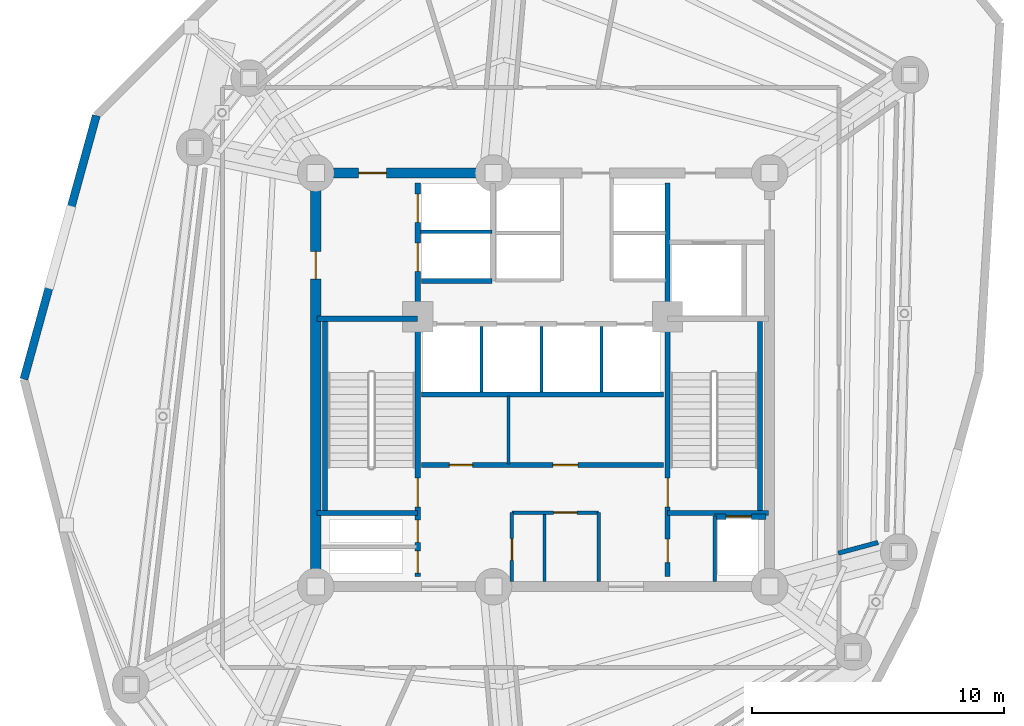
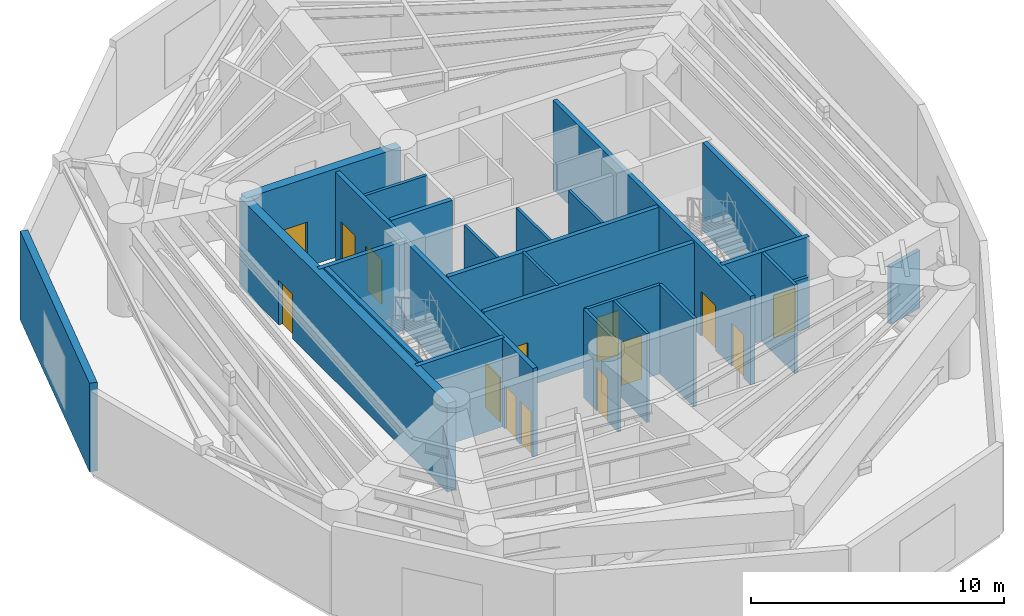
# One storey, part 6 of 11: 25 walls, 14 doors, 14 openings.
"""IFC4 building model written with IfcOpenShell, lengths in metres."""

from ifc_helpers import new_model, si_unit, direction, frame, frame_2d, origin, origin_with_axes, place, context, subcontext, project, spatial, rectangle, extrude, source, transform, mapped, material, layer, layer_set, type_object, element, fill, save


model = new_model("IFC4")

# Units and contexts
model_context = context("Model", 3, precision=1e-05, world=origin(), true_north=direction((0.0, 1.0)))
body_context = subcontext(model_context, "Body", "Model", "MODEL_VIEW")
ifc_project = project(units=[si_unit("LENGTHUNIT", "METRE"), si_unit("AREAUNIT", "SQUARE_METRE"), si_unit("VOLUMEUNIT", "CUBIC_METRE"), si_unit("PLANEANGLEUNIT", "RADIAN"), si_unit("MASSUNIT", "GRAM", prefix="KILO")], contexts=[model_context])

# Site, building, storey
site_placement = place(None, origin())
site = spatial("IfcSite", under=ifc_project, at=site_placement, CompositionType="ELEMENT")
building_placement = place(site_placement, origin())
building = spatial("IfcBuilding", under=site, at=building_placement, Name="Karkom Vertical University and Central Library", CompositionType="ELEMENT")
storey_placement = place(building_placement, frame((0.0, 0.0, 148.050048828125)))
storey = spatial("IfcBuildingStorey", under=building, at=storey_placement, Name="P42", CompositionType="ELEMENT", Elevation=148.050048828125)

# Walls
ifc_material_1 = material(Name="Brick-faced precast concrete C45/55", Category="masonry")
ifc_layer_1 = layer(ifc_material_1, 0.320068359375)
ifc_layer_set_1 = layer_set([ifc_layer_1], Name="Brick-faced precast concrete C45/55")
wall_type_1 = type_object("IfcWallType", Name="ENV-WL-BRK-320", PredefinedType="SOLIDWALL", material=ifc_layer_set_1)
wall_1_placement = place(storey_placement, frame((10.79931640625, 36.9833984375, 0.0), z_axis=(0.0, 0.0, 1.0), x_axis=(-0.26486439702, -0.964285668872, 0.0)))
element("IfcWall", 1, at=wall_1_placement, inside=storey, type_object=wall_type_1, Name="Plant Level 42 Brick-Faced Precast Facade Wall 01", PredefinedType="SOLIDWALL", context=body_context, shape_type="SweptSolid", body=[
    extrude(rectangle(XDim=10.8408203125, YDim=0.320068359375, at=frame_2d((5.42041015625, 0.0))), origin(), (0.0, 0.0, 1.0), 4.27490234375),
])
ifc_material_2 = material(Name="Moisture-resistant drywall 120mm", Category="gypsum")
ifc_layer_2 = layer(ifc_material_2, 0.1201171875)
ifc_layer_set_2 = layer_set([ifc_layer_2], Name="Moisture-resistant drywall 120mm")
wall_type_2 = type_object("IfcWallType", Name="INT-WL-INT-120", PredefinedType="PARTITIONING", material=ifc_layer_set_2)
wall_2_placement = place(storey_placement, frame((27.14990234375, 23.169921875, 0.0), z_axis=(0.0, 0.0, 1.0), x_axis=(0.0, 1.0, 0.0)))
element("IfcWall", 2, at=wall_2_placement, inside=storey, type_object=wall_type_2, Name="Plant Level 42 Interior Partition Wall P42-CW-B1-K2", PredefinedType="PARTITIONING", context=body_context, shape_type="SweptSolid", body=[
    extrude(rectangle(XDim=2.7001953125, YDim=0.1201171875, at=frame_2d((1.35009765625, 0.0))), origin(), (0.0, 0.0, 1.0), 4.27490234375),
])
wall_3_placement = place(storey_placement, frame((28.580078125, 18.507080078125, 0.0), z_axis=(0.0, 0.0, 1.0), x_axis=(0.0, 1.0, 0.0)))
element("IfcWall", 3, at=wall_3_placement, inside=storey, type_object=wall_type_2, Name="Plant Level 42 Interior Partition Wall P42-CW-K2-DIV", PredefinedType="PARTITIONING", context=body_context, shape_type="SweptSolid", body=[
    extrude(rectangle(XDim=2.66162109375, YDim=0.1201171875, at=frame_2d((1.330810546875, 0.0))), origin(), (0.0, 0.0, 1.0), 4.27490234375),
])
ifc_layer_3 = layer(ifc_material_2, 0.1201171875)
ifc_layer_set_3 = layer_set([ifc_layer_3], Name="Moisture-resistant drywall 120mm")
wall_type_3 = type_object("IfcWallType", Name="INT-WL-INT-120H", PredefinedType="PARTITIONING", material=ifc_layer_set_3)
for number, where, z_axis, x_axis, name in (
    (4, (26.080078125, 26.02001953125, 0.0), (0.0, 0.0, 1.0), (0.0, 1.0, 0.0), "Plant Level 42 Interior Partition Wall P42-CW-PM-DIV1"),
    (5, (28.4599609375, 26.02001953125, 0.0), (0.0, 0.0, 1.0), (0.0, 1.0, 0.0), "Plant Level 42 Interior Partition Wall P42-CW-PM-DIV2"),
    (6, (30.840087890625, 26.02001953125, 0.0), (0.0, 0.0, 1.0), (0.0, 1.0, 0.0), "Plant Level 42 Interior Partition Wall P42-CW-PM-DIV3"),
):
    element("IfcWall", number, at=place(storey_placement, frame(where, z_axis=z_axis, x_axis=x_axis)), inside=storey, type_object=wall_type_3, Name=name, PredefinedType="PARTITIONING", context=body_context, shape_type="SweptSolid", body=[
        extrude(rectangle(XDim=2.60009765625, YDim=0.1201171875, at=frame_2d((1.300048828125, 0.0))), origin(), (0.0, 0.0, 1.0), 4.27490234375),
    ])

# Wall, opening, door
ifc_material_3 = material(Name="Metal-stud gypsum partition 140mm", Category="gypsum")
ifc_layer_4 = layer(ifc_material_3, 0.139892578125)
ifc_layer_set_4 = layer_set([ifc_layer_4], Name="Metal-stud gypsum partition 140mm")
wall_type_4 = type_object("IfcWallType", Name="INT-WL-SUB-140", PredefinedType="PARTITIONING", material=ifc_layer_set_4)
wall_4_placement = place(storey_placement, frame((27.280029296875, 21.239990234375, 0.0), z_axis=(0.0, 0.0, 1.0), x_axis=(1.0, 0.0, 0.0)))
wall_4 = element("IfcWall", 7, at=wall_4_placement, inside=storey, type_object=wall_type_4, Name="Plant Level 42 Interior Partition Wall P42-CW-KBAY-N", PredefinedType="PARTITIONING", context=body_context, shape_type="SweptSolid", body=[
    extrude(rectangle(XDim=3.43994140625, YDim=0.139892578125, at=frame_2d((1.719970703125, 0.0))), origin(), (0.0, 0.0, 1.0), 4.27490234375),
])
opening_1_placement = place(wall_4_placement, frame((1.64990234375, 0.0, 0.0)))
opening_1 = element("IfcOpeningElement", 8, at=opening_1_placement, cuts=wall_4, Name="Opening D-WC1", PredefinedType="OPENING", context=body_context, shape_type="SweptSolid", body=[
    extrude(rectangle(XDim=0.93994140625, YDim=2.10009765625, at=frame_2d((0.469970703125, 1.050048828125))), frame((0.0, 0.080078125, 0.0), z_axis=(0.0, -1.0, 0.0), x_axis=(1.0, 0.0, 0.0)), (0.0, 0.0, 1.0), 0.159912109375),
])
ifc_material_4 = material(Name="Fire-rated laminate moisture-resistant door", Category="wood")
door_type_1 = type_object("IfcDoorType", Name="INT-DR-WC1", OperationType="NOTDEFINED", PredefinedType="DOOR", material=ifc_material_4)
shared_shape_1 = source(origin_with_axes(), body_context, "Body", "SweptSolid", [
    extrude(rectangle(XDim=0.93994140625, YDim=2.10009765625, at=frame_2d((0.469970703125, 1.050048828125))), frame((0.0, 0.02490234375, 0.0), z_axis=(0.0, -1.0, 0.0), x_axis=(1.0, 0.0, 0.0)), (0.0, 0.0, 1.0), 0.050048828125),
])
door_1_placement = place(opening_1_placement, origin())
door_1 = element("IfcDoor", 9, at=door_1_placement, inside=storey, type_object=door_type_1, Name="Plant Level 42 Staff WC Door", OperationType="SINGLE_SWING_RIGHT", OverallHeight=2.10009765625, OverallWidth=0.93994140625, PredefinedType="DOOR", context=body_context, shape_type="MappedRepresentation", body=[
    mapped(shared_shape_1, transform((0.0, 0.0, 0.0), scale=1.0)),
])
fill(opening_1, door_1)

wall_5_placement = place(storey_placement, frame((27.280029296875, 18.507080078125, 0.0), z_axis=(0.0, 0.0, 1.0), x_axis=(0.0, 1.0, 0.0)))
wall_5 = element("IfcWall", 10, at=wall_5_placement, inside=storey, type_object=wall_type_4, Name="Plant Level 42 Interior Partition Wall P42-CW-KBAY-W", PredefinedType="PARTITIONING", context=body_context, shape_type="SweptSolid", body=[
    extrude(rectangle(XDim=2.73291015625, YDim=0.139892578125, at=frame_2d((1.366455078125, 0.0))), origin(), (0.0, 0.0, 1.0), 4.27490234375),
])
opening_2_placement = place(wall_5_placement, frame((0.840087890625, 0.0, 0.0)))
opening_2 = element("IfcOpeningElement", 11, at=opening_2_placement, cuts=wall_5, Name="Opening D-BATH", PredefinedType="OPENING", context=body_context, shape_type="SweptSolid", body=[
    extrude(rectangle(XDim=0.860107421875, YDim=2.10009765625, at=frame_2d((0.43017578125, 1.050048828125))), frame((0.0, 0.080078125, 0.0), z_axis=(0.0, -1.0, 0.0), x_axis=(1.0, 0.0, 0.0)), (0.0, 0.0, 1.0), 0.159912109375),
])
ifc_material_5 = material(Name="Moisture-resistant oak door", Category="wood")
door_type_2 = type_object("IfcDoorType", Name="INT-DR-BATH", OperationType="NOTDEFINED", PredefinedType="DOOR", material=ifc_material_5)
shared_shape_2 = source(origin_with_axes(), body_context, "Body", "SweptSolid", [
    extrude(rectangle(XDim=0.860107421875, YDim=2.10009765625, at=frame_2d((0.43017578125, 1.050048828125))), frame((0.0, 0.02490234375, 0.0), z_axis=(0.0, -1.0, 0.0), x_axis=(1.0, 0.0, 0.0)), (0.0, 0.0, 1.0), 0.050048828125),
])
door_2_placement = place(opening_2_placement, origin())
door_2 = element("IfcDoor", 12, at=door_2_placement, inside=storey, type_object=door_type_2, Name="Plant Level 42 Cleaners Store Door", OperationType="SINGLE_SWING_LEFT", OverallHeight=2.10009765625, OverallWidth=0.860107421875, PredefinedType="DOOR", context=body_context, shape_type="MappedRepresentation", body=[
    mapped(shared_shape_2, transform((0.0, 0.0, 0.0), scale=1.0)),
])
fill(opening_2, door_2)

# Walls
wall_6_placement = place(storey_placement, frame((30.719970703125, 18.507080078125, 0.0), z_axis=(0.0, 0.0, 1.0), x_axis=(0.0, 1.0, 0.0)))
element("IfcWall", 13, at=wall_6_placement, inside=storey, type_object=wall_type_4, Name="Plant Level 42 Interior Partition Wall P42-CW-KBAY-E", PredefinedType="PARTITIONING", context=body_context, shape_type="SweptSolid", body=[
    extrude(rectangle(XDim=2.73291015625, YDim=0.139892578125, at=frame_2d((1.366455078125, 0.0))), origin(), (0.0, 0.0, 1.0), 4.27490234375),
])
ifc_layer_5 = layer(ifc_material_3, 0.139892578125)
ifc_layer_set_5 = layer_set([ifc_layer_5], Name="Metal-stud gypsum partition 140mm")
wall_type_5 = type_object("IfcWallType", Name="INT-WL-SUB-140H", PredefinedType="PARTITIONING", material=ifc_layer_set_5)
wall_7_placement = place(storey_placement, frame((35.320068359375, 18.507080078125, 0.0), z_axis=(0.0, 0.0, 1.0), x_axis=(0.0, 1.0, 0.0)))
element("IfcWall", 14, at=wall_7_placement, inside=storey, type_object=wall_type_5, Name="Plant Level 42 Interior Partition Wall P42-CW-RIS-E", PredefinedType="PARTITIONING", context=body_context, shape_type="SweptSolid", body=[
    extrude(rectangle(XDim=2.591796875, YDim=0.139892578125, at=frame_2d((1.2958984375, 0.0))), origin(), (0.0, 0.0, 1.0), 4.27490234375),
])
ifc_layer_6 = layer(ifc_material_3, 0.139892578125)
ifc_layer_set_6 = layer_set([ifc_layer_6], Name="Metal-stud gypsum partition 140mm")
wall_type_6 = type_object("IfcWallType", Name="INT-WL-SUB-140X", PredefinedType="PARTITIONING", material=ifc_layer_set_6)
wall_8_placement = place(storey_placement, frame((23.652099609375, 32.3701171875, 0.0), z_axis=(0.0, 0.0, 1.0), x_axis=(1.0, 0.0, 0.0)))
element("IfcWall", 15, at=wall_8_placement, inside=storey, type_object=wall_type_6, Name="Plant Level 42 Interior Partition Wall P42-CW-FFL-M", PredefinedType="PARTITIONING", context=body_context, shape_type="SweptSolid", body=[
    extrude(rectangle(XDim=2.827880859375, YDim=0.139892578125, at=frame_2d((1.4140625, 0.0))), origin(), (0.0, 0.0, 1.0), 4.27490234375),
])
ifc_material_6 = material(Name="Twin-stud acoustic drywall 180mm", Category="gypsum")
ifc_layer_7 = layer(ifc_material_6, 0.179931640625)
ifc_layer_set_7 = layer_set([ifc_layer_7], Name="Twin-stud acoustic drywall 180mm")
wall_type_7 = type_object("IfcWallType", Name="INT-WL-TEN-180F", PredefinedType="PARTITIONING", material=ifc_layer_set_7)
wall_9_placement = place(storey_placement, frame((41.799072265625, 20.052734375, 0.0), z_axis=(0.0, 0.0, 1.0), x_axis=(-0.965926707179, -0.258815757555, 0.0)))
element("IfcWall", 16, at=wall_9_placement, inside=storey, type_object=wall_type_7, Name="Plant Level 42 Interior Partition Wall P42-PLCHW-013", PredefinedType="PARTITIONING", context=body_context, shape_type="SweptSolid", body=[
    extrude(rectangle(XDim=1.6337890625, YDim=0.179931640625, at=frame_2d((0.81689453125, 0.0))), origin(), (0.0, 0.0, 1.0), 2.77490234375),
])

# Wall, opening, door
ifc_material_7 = material(Name="Concrete C45/55", Category="concrete")
ifc_layer_8 = layer(ifc_material_7, 0.219970703125)
ifc_layer_set_8 = layer_set([ifc_layer_8], Name="Concrete C45/55")
wall_type_8 = type_object("IfcWallType", Name="STR-WL-CW-220", PredefinedType="SHEAR", material=ifc_layer_set_8)
wall_10_placement = place(storey_placement, frame((35.320068359375, 21.080078125, 0.0), z_axis=(0.0, 0.0, 1.0), x_axis=(1.0, 0.0, 0.0)))
wall_10 = element("IfcWall", 17, at=wall_10_placement, inside=storey, type_object=wall_type_8, Name="Plant Level 42 Duct Riser Access Wall 2", PredefinedType="SHEAR", context=body_context, shape_type="SweptSolid", body=[
    extrude(rectangle(XDim=2.030029296875, YDim=0.219970703125, at=frame_2d((1.01513671875, 0.0))), origin(), (0.0, 0.0, 1.0), 2.449951171875),
])
opening_3_placement = place(wall_10_placement, frame((0.449951171875, 0.0, 0.0)))
opening_3 = element("IfcOpeningElement", 18, at=opening_3_placement, cuts=wall_10, Name="Opening HD-1", PredefinedType="OPENING", context=body_context, shape_type="SweptSolid", body=[
    extrude(rectangle(XDim=1.0, YDim=2.050048828125, at=frame_2d((0.5, 1.02490234375))), frame((0.0, 0.1201171875, 0.0), z_axis=(0.0, -1.0, 0.0), x_axis=(1.0, 0.0, 0.0)), (0.0, 0.0, 1.0), 0.239990234375),
])
ifc_material_8 = material(Name="Insulated aluminium riser access door", Category="aluminium")
door_type_3 = type_object("IfcDoorType", Name="ENV-DR-HTCH", OperationType="SINGLE_SWING_LEFT", PredefinedType="TRAPDOOR", material=ifc_material_8)
shared_shape_3 = source(origin_with_axes(), body_context, "Body", "SweptSolid", [
    extrude(rectangle(XDim=1.0, YDim=2.050048828125, at=frame_2d((0.5, 1.02490234375))), frame((0.0, 0.02490234375, 0.0), z_axis=(0.0, -1.0, 0.0), x_axis=(1.0, 0.0, 0.0)), (0.0, 0.0, 1.0), 0.050048828125),
])
door_3_placement = place(opening_3_placement, origin())
door_3 = element("IfcDoor", 19, at=door_3_placement, inside=storey, type_object=door_type_3, Name="Plant Level 42 Maintenance Riser Access Hatch Door 2", OperationType="SINGLE_SWING_RIGHT", OverallHeight=2.050048828125, OverallWidth=1.0, PredefinedType="TRAPDOOR", context=body_context, shape_type="MappedRepresentation", body=[
    mapped(shared_shape_3, transform((0.0, 0.0, 0.0), scale=1.0)),
])
fill(opening_3, door_3)

ifc_material_9 = material(Name="Concrete C50/60", Category="concrete")
ifc_layer_9 = layer(ifc_material_9, 0.39990234375)
ifc_layer_set_9 = layer_set([ifc_layer_9], Name="Concrete C50/60")
wall_type_9 = type_object("IfcWallType", Name="STR-WL-CW-400", PredefinedType="SHEAR", material=ifc_layer_set_9)
wall_11_placement = place(storey_placement, frame((26.550048828125, 34.699951171875, 0.0), z_axis=(0.0, 0.0, 1.0), x_axis=(-1.0, 0.0, 0.0)))
wall_11 = element("IfcWall", 20, at=wall_11_placement, inside=storey, type_object=wall_type_9, Name="Plant Level 42 Central Core Shear Wall NW2", PredefinedType="SHEAR", context=body_context, shape_type="SweptSolid", body=[
    extrude(rectangle(XDim=7.050048828125, YDim=0.39990234375, at=frame_2d((3.52490234375, 0.0))), origin(), (0.0, 0.0, 1.0), 4.27490234375),
])
opening_4_placement = place(wall_11_placement, frame((4.25, 0.0, 0.0)))
opening_4 = element("IfcOpeningElement", 21, at=opening_4_placement, cuts=wall_11, Name="Opening FD-FFL", PredefinedType="OPENING", context=body_context, shape_type="SweptSolid", body=[
    extrude(rectangle(XDim=1.10009765625, YDim=2.14990234375, at=frame_2d((0.550048828125, 1.074951171875))), frame((0.0, 0.2099609375, 0.0), z_axis=(0.0, -1.0, 0.0), x_axis=(1.0, 0.0, 0.0)), (0.0, 0.0, 1.0), 0.419921875),
])
ifc_material_10 = material(Name="Painted steel smoke-seal fire door", Category="steel")
door_type_4 = type_object("IfcDoorType", Name="INT-DR-FFL", OperationType="NOTDEFINED", PredefinedType="DOOR", material=ifc_material_10)
shared_shape_4 = source(origin_with_axes(), body_context, "Body", "SweptSolid", [
    extrude(rectangle(XDim=1.10009765625, YDim=2.14990234375, at=frame_2d((0.550048828125, 1.074951171875))), frame((0.0, 0.02490234375, 0.0), z_axis=(0.0, -1.0, 0.0), x_axis=(1.0, 0.0, 0.0)), (0.0, 0.0, 1.0), 0.050048828125),
])
door_4_placement = place(opening_4_placement, origin())
door_4 = element("IfcDoor", 22, at=door_4_placement, inside=storey, type_object=door_type_4, Name="Plant Level 42 Firefighting Lobby Door", OperationType="SINGLE_SWING_RIGHT", OverallHeight=2.14990234375, OverallWidth=1.10009765625, PredefinedType="DOOR", context=body_context, shape_type="MappedRepresentation", body=[
    mapped(shared_shape_4, transform((0.0, 0.0, 0.0), scale=1.0)),
])
fill(opening_4, door_4)

wall_12_placement = place(storey_placement, frame((19.5, 34.699951171875, 0.0), z_axis=(0.0, 0.0, 1.0), x_axis=(0.0, -1.0, 0.0)))
wall_12 = element("IfcWall", 23, at=wall_12_placement, inside=storey, type_object=wall_type_9, Name="Plant Level 42 Central Core Shear Wall WW", PredefinedType="SHEAR", context=body_context, shape_type="SweptSolid", body=[
    extrude(rectangle(XDim=16.39990234375, YDim=0.39990234375, at=frame_2d((8.199951171875, 0.0))), origin(), (0.0, 0.0, 1.0), 4.27490234375),
])
opening_5_placement = place(wall_12_placement, frame((3.10009765625, 0.0, 0.0)))
opening_5 = element("IfcOpeningElement", 24, at=opening_5_placement, cuts=wall_12, Name="Opening FD-FFL", PredefinedType="OPENING", context=body_context, shape_type="SweptSolid", body=[
    extrude(rectangle(XDim=1.10009765625, YDim=2.14990234375, at=frame_2d((0.550048828125, 1.074951171875))), frame((0.0, 0.2099609375, 0.0), z_axis=(0.0, -1.0, 0.0), x_axis=(1.0, 0.0, 0.0)), (0.0, 0.0, 1.0), 0.419921875),
])
door_5_placement = place(opening_5_placement, origin())
door_5 = element("IfcDoor", 25, at=door_5_placement, inside=storey, type_object=door_type_4, Name="Plant Level 42 West Corridor Firefighting Lobby Door", OperationType="SINGLE_SWING_LEFT", OverallHeight=2.14990234375, OverallWidth=1.10009765625, PredefinedType="DOOR", context=body_context, shape_type="MappedRepresentation", body=[
    mapped(shared_shape_4, transform((0.0, 0.0, 0.0), scale=1.0)),
])
fill(opening_5, door_5)

# Wall, openings, doors
ifc_layer_10 = layer(ifc_material_7, 0.199951171875)
ifc_layer_set_10 = layer_set([ifc_layer_10], Name="Concrete C45/55")
wall_type_10 = type_object("IfcWallType", Name="STR-WL-ST-200", PredefinedType="SHEAR", material=ifc_layer_set_10)
wall_13_placement = place(storey_placement, frame((23.544921875, 18.699951171875, 0.0), z_axis=(0.0, 0.0, 1.0), x_axis=(0.0, 1.0, 0.0)))
wall_13 = element("IfcWall", 26, at=wall_13_placement, inside=storey, type_object=wall_type_10, Name="Plant Level 42 Core Shaft Wall P42-CW-ST1-E", PredefinedType="SHEAR", context=body_context, shape_type="SweptSolid", body=[
    extrude(rectangle(XDim=15.60009765625, YDim=0.199951171875, at=frame_2d((7.800048828125, 0.0))), origin(), (0.0, 0.0, 1.0), 4.27490234375),
])
opening_6_placement = place(wall_13_placement, frame((2.75, 0.0, 0.0)))
opening_6 = element("IfcOpeningElement", 27, at=opening_6_placement, cuts=wall_13, Name="Opening FD-ST1", PredefinedType="OPENING", context=body_context, shape_type="SweptSolid", body=[
    extrude(rectangle(XDim=1.14990234375, YDim=2.14990234375, at=frame_2d((0.574951171875, 1.074951171875))), frame((0.0, 0.10986328125, 0.0), z_axis=(0.0, -1.0, 0.0), x_axis=(1.0, 0.0, 0.0)), (0.0, 0.0, 1.0), 0.219970703125),
])
opening_7_placement = place(wall_13_placement, frame((0.139892578125, 0.0, 0.0)))
opening_7 = element("IfcOpeningElement", 28, at=opening_7_placement, cuts=wall_13, Name="Opening FD-RIS", PredefinedType="OPENING", context=body_context, shape_type="SweptSolid", body=[
    extrude(rectangle(XDim=0.8798828125, YDim=2.10009765625, at=frame_2d((0.43994140625, 1.050048828125))), frame((0.0, 0.10986328125, 0.0), z_axis=(0.0, -1.0, 0.0), x_axis=(1.0, 0.0, 0.0)), (0.0, 0.0, 1.0), 0.219970703125),
])
opening_8_placement = place(wall_13_placement, frame((1.360107421875, 0.0, 0.0)))
opening_8 = element("IfcOpeningElement", 29, at=opening_8_placement, cuts=wall_13, Name="Opening FD-RIS", PredefinedType="OPENING", context=body_context, shape_type="SweptSolid", body=[
    extrude(rectangle(XDim=0.8798828125, YDim=2.10009765625, at=frame_2d((0.43994140625, 1.050048828125))), frame((0.0, 0.10986328125, 0.0), z_axis=(0.0, -1.0, 0.0), x_axis=(1.0, 0.0, 0.0)), (0.0, 0.0, 1.0), 0.219970703125),
])
opening_9_placement = place(wall_13_placement, frame((12.10009765625, 0.0, 0.0)))
opening_9 = element("IfcOpeningElement", 30, at=opening_9_placement, cuts=wall_13, Name="Opening LD-FFL", PredefinedType="OPENING", context=body_context, shape_type="SweptSolid", body=[
    extrude(rectangle(XDim=1.1201171875, YDim=2.14990234375, at=frame_2d((0.56005859375, 1.074951171875))), frame((0.0, 0.10986328125, 0.0), z_axis=(0.0, -1.0, 0.0), x_axis=(1.0, 0.0, 0.0)), (0.0, 0.0, 1.0), 0.219970703125),
])
opening_10_placement = place(wall_13_placement, frame((14.050048828125, 0.0, 0.0)))
opening_10 = element("IfcOpeningElement", 31, at=opening_10_placement, cuts=wall_13, Name="Opening LD-FFL", PredefinedType="OPENING", context=body_context, shape_type="SweptSolid", body=[
    extrude(rectangle(XDim=1.1201171875, YDim=2.14990234375, at=frame_2d((0.56005859375, 1.074951171875))), frame((0.0, 0.10986328125, 0.0), z_axis=(0.0, -1.0, 0.0), x_axis=(1.0, 0.0, 0.0)), (0.0, 0.0, 1.0), 0.219970703125),
])
ifc_material_11 = material(Name="Painted steel acoustic fire door", Category="steel")
door_type_5 = type_object("IfcDoorType", Name="INT-DR-ST1", OperationType="NOTDEFINED", PredefinedType="DOOR", material=ifc_material_11)
shared_shape_5 = source(origin_with_axes(), body_context, "Body", "SweptSolid", [
    extrude(rectangle(XDim=1.14990234375, YDim=2.14990234375, at=frame_2d((0.574951171875, 1.074951171875))), frame((0.0, 0.02490234375, 0.0), z_axis=(0.0, -1.0, 0.0), x_axis=(1.0, 0.0, 0.0)), (0.0, 0.0, 1.0), 0.050048828125),
])
door_6_placement = place(opening_6_placement, origin())
door_6 = element("IfcDoor", 32, at=door_6_placement, inside=storey, type_object=door_type_5, Name="Plant Level 42 Stair ST-1 Fire Door", OperationType="SINGLE_SWING_RIGHT", OverallHeight=2.14990234375, OverallWidth=1.14990234375, PredefinedType="DOOR", context=body_context, shape_type="MappedRepresentation", body=[
    mapped(shared_shape_5, transform((0.0, 0.0, 0.0), scale=1.0)),
])
fill(opening_6, door_6)
ifc_material_12 = material(Name="Painted steel riser access door", Category="steel")
door_type_6 = type_object("IfcDoorType", Name="INT-DR-RIS", OperationType="NOTDEFINED", PredefinedType="DOOR", material=ifc_material_12)
shared_shape_6 = source(origin_with_axes(), body_context, "Body", "SweptSolid", [
    extrude(rectangle(XDim=0.8798828125, YDim=2.10009765625, at=frame_2d((0.43994140625, 1.050048828125))), frame((0.0, 0.02490234375, 0.0), z_axis=(0.0, -1.0, 0.0), x_axis=(1.0, 0.0, 0.0)), (0.0, 0.0, 1.0), 0.050048828125),
])
door_7_placement = place(opening_7_placement, origin())
door_7 = element("IfcDoor", 33, at=door_7_placement, inside=storey, type_object=door_type_6, Name="Plant Level 42 Electrical Riser Access Door", OperationType="SINGLE_SWING_RIGHT", OverallHeight=2.10009765625, OverallWidth=0.8798828125, PredefinedType="DOOR", context=body_context, shape_type="MappedRepresentation", body=[
    mapped(shared_shape_6, transform((0.0, 0.0, 0.0), scale=1.0)),
])
fill(opening_7, door_7)
door_8_placement = place(opening_8_placement, origin())
door_8 = element("IfcDoor", 34, at=door_8_placement, inside=storey, type_object=door_type_6, Name="Plant Level 42 Telecom Riser Access Door", OperationType="SINGLE_SWING_LEFT", OverallHeight=2.10009765625, OverallWidth=0.8798828125, PredefinedType="DOOR", context=body_context, shape_type="MappedRepresentation", body=[
    mapped(shared_shape_6, transform((0.0, 0.0, 0.0), scale=1.0)),
])
fill(opening_8, door_8)
ifc_material_13 = material(Name="Fire-rated stainless-steel landing door", Category="steel")
door_type_7 = type_object("IfcDoorType", Name="INT-DR-LD-FFL", OperationType="SLIDING_TO_LEFT", PredefinedType="DOOR", material=ifc_material_13)
shared_shape_7 = source(origin_with_axes(), body_context, "Body", "SweptSolid", [
    extrude(rectangle(XDim=1.1201171875, YDim=2.14990234375, at=frame_2d((0.56005859375, 1.074951171875))), frame((0.0, 0.02490234375, 0.0), z_axis=(0.0, -1.0, 0.0), x_axis=(1.0, 0.0, 0.0)), (0.0, 0.0, 1.0), 0.050048828125),
])
door_9_placement = place(opening_9_placement, origin())
door_9 = element("IfcDoor", 35, at=door_9_placement, inside=storey, type_object=door_type_7, Name="Plant Level 42 Firefighting Lift FFL-1 Landing Door", OperationType="SLIDING_TO_LEFT", OverallHeight=2.14990234375, OverallWidth=1.1201171875, PredefinedType="DOOR", context=body_context, shape_type="MappedRepresentation", body=[
    mapped(shared_shape_7, transform((0.0, 0.0, 0.0), scale=1.0)),
])
fill(opening_9, door_9)
door_10_placement = place(opening_10_placement, origin())
door_10 = element("IfcDoor", 36, at=door_10_placement, inside=storey, type_object=door_type_7, Name="Plant Level 42 Firefighting Lift FFL-2 Landing Door", OperationType="SLIDING_TO_RIGHT", OverallHeight=2.14990234375, OverallWidth=1.1201171875, PredefinedType="DOOR", context=body_context, shape_type="MappedRepresentation", body=[
    mapped(shared_shape_7, transform((0.0, 0.0, 0.0), scale=1.0)),
])
fill(opening_10, door_10)

wall_14_placement = place(storey_placement, frame((33.455078125, 18.699951171875, 0.0), z_axis=(0.0, 0.0, 1.0), x_axis=(0.0, 1.0, 0.0)))
wall_14 = element("IfcWall", 37, at=wall_14_placement, inside=storey, type_object=wall_type_10, Name="Plant Level 42 Core Shaft Wall P42-CW-ST2-W", PredefinedType="SHEAR", context=body_context, shape_type="SweptSolid", body=[
    extrude(rectangle(XDim=15.60009765625, YDim=0.199951171875, at=frame_2d((7.800048828125, 0.0))), origin(), (0.0, 0.0, 1.0), 4.27490234375),
])
opening_11_placement = place(wall_14_placement, frame((2.75, 0.0, 0.0)))
opening_11 = element("IfcOpeningElement", 38, at=opening_11_placement, cuts=wall_14, Name="Opening FD-ST1", PredefinedType="OPENING", context=body_context, shape_type="SweptSolid", body=[
    extrude(rectangle(XDim=1.14990234375, YDim=2.14990234375, at=frame_2d((0.574951171875, 1.074951171875))), frame((0.0, 0.10986328125, 0.0), z_axis=(0.0, -1.0, 0.0), x_axis=(1.0, 0.0, 0.0)), (0.0, 0.0, 1.0), 0.219970703125),
])
opening_12_placement = place(wall_14_placement, frame((0.550048828125, 0.0, 0.0)))
opening_12 = element("IfcOpeningElement", 39, at=opening_12_placement, cuts=wall_14, Name="Opening D-WC1", PredefinedType="OPENING", context=body_context, shape_type="SweptSolid", body=[
    extrude(rectangle(XDim=0.93994140625, YDim=2.10009765625, at=frame_2d((0.469970703125, 1.050048828125))), frame((0.0, 0.10986328125, 0.0), z_axis=(0.0, -1.0, 0.0), x_axis=(1.0, 0.0, 0.0)), (0.0, 0.0, 1.0), 0.219970703125),
])
door_11_placement = place(opening_11_placement, origin())
door_11 = element("IfcDoor", 40, at=door_11_placement, inside=storey, type_object=door_type_5, Name="Plant Level 42 Stair ST-2 Fire Door", OperationType="SINGLE_SWING_LEFT", OverallHeight=2.14990234375, OverallWidth=1.14990234375, PredefinedType="DOOR", context=body_context, shape_type="MappedRepresentation", body=[
    mapped(shared_shape_5, transform((0.0, 0.0, 0.0), scale=1.0)),
])
fill(opening_11, door_11)
door_12_placement = place(opening_12_placement, origin())
door_12 = element("IfcDoor", 41, at=door_12_placement, inside=storey, type_object=door_type_1, Name="Plant Level 42 Accessible WC Door", OperationType="SINGLE_SWING_RIGHT", OverallHeight=2.10009765625, OverallWidth=0.93994140625, PredefinedType="DOOR", context=body_context, shape_type="MappedRepresentation", body=[
    mapped(shared_shape_1, transform((0.0, 0.0, 0.0), scale=1.0)),
])
fill(opening_12, door_12)

wall_15_placement = place(storey_placement, frame((23.699951171875, 23.1201171875, 0.0), z_axis=(0.0, 0.0, 1.0), x_axis=(1.0, 0.0, 0.0)))
wall_15 = element("IfcWall", 42, at=wall_15_placement, inside=storey, type_object=wall_type_10, Name="Plant Level 42 Core Shaft Wall P42-CW-B1-S", PredefinedType="SHEAR", context=body_context, shape_type="SweptSolid", body=[
    extrude(rectangle(XDim=9.60009765625, YDim=0.199951171875, at=frame_2d((4.800048828125, 0.0))), origin(), (0.0, 0.0, 1.0), 4.27490234375),
])
opening_13_placement = place(wall_15_placement, frame((1.10009765625, 0.0, 0.0)))
opening_13 = element("IfcOpeningElement", 43, at=opening_13_placement, cuts=wall_15, Name="Opening D-SVC1", PredefinedType="OPENING", context=body_context, shape_type="SweptSolid", body=[
    extrude(rectangle(XDim=0.919921875, YDim=2.10009765625, at=frame_2d((0.4599609375, 1.050048828125))), frame((0.0, 0.10986328125, 0.0), z_axis=(0.0, -1.0, 0.0), x_axis=(1.0, 0.0, 0.0)), (0.0, 0.0, 1.0), 0.219970703125),
])
opening_14_placement = place(wall_15_placement, frame((5.199951171875, 0.0, 0.0)))
opening_14 = element("IfcOpeningElement", 44, at=opening_14_placement, cuts=wall_15, Name="Opening D-STR1", PredefinedType="OPENING", context=body_context, shape_type="SweptSolid", body=[
    extrude(rectangle(XDim=1.0, YDim=2.14990234375, at=frame_2d((0.5, 1.074951171875))), frame((0.0, 0.10986328125, 0.0), z_axis=(0.0, -1.0, 0.0), x_axis=(1.0, 0.0, 0.0)), (0.0, 0.0, 1.0), 0.219970703125),
])
ifc_material_14 = material(Name="Painted timber service door", Category="wood")
door_type_8 = type_object("IfcDoorType", Name="INT-DR-SVC1", OperationType="NOTDEFINED", PredefinedType="DOOR", material=ifc_material_14)
shared_shape_8 = source(origin_with_axes(), body_context, "Body", "SweptSolid", [
    extrude(rectangle(XDim=0.919921875, YDim=2.10009765625, at=frame_2d((0.4599609375, 1.050048828125))), frame((0.0, 0.02490234375, 0.0), z_axis=(0.0, -1.0, 0.0), x_axis=(1.0, 0.0, 0.0)), (0.0, 0.0, 1.0), 0.050048828125),
])
door_13_placement = place(opening_13_placement, origin())
door_13 = element("IfcDoor", 45, at=door_13_placement, inside=storey, type_object=door_type_8, Name="Plant Level 42 B1 West Store Door", OperationType="SINGLE_SWING_LEFT", OverallHeight=2.10009765625, OverallWidth=0.919921875, PredefinedType="DOOR", context=body_context, shape_type="MappedRepresentation", body=[
    mapped(shared_shape_8, transform((0.0, 0.0, 0.0), scale=1.0)),
])
fill(opening_13, door_13)
ifc_material_15 = material(Name="Solid-core hardwood fire door", Category="wood")
door_type_9 = type_object("IfcDoorType", Name="INT-DR-STR1", OperationType="NOTDEFINED", PredefinedType="DOOR", material=ifc_material_15)
shared_shape_9 = source(origin_with_axes(), body_context, "Body", "SweptSolid", [
    extrude(rectangle(XDim=1.0, YDim=2.14990234375, at=frame_2d((0.5, 1.074951171875))), frame((0.0, 0.02490234375, 0.0), z_axis=(0.0, -1.0, 0.0), x_axis=(1.0, 0.0, 0.0)), (0.0, 0.0, 1.0), 0.050048828125),
])
door_14_placement = place(opening_14_placement, origin())
door_14 = element("IfcDoor", 46, at=door_14_placement, inside=storey, type_object=door_type_9, Name="Plant Level 42 B1 East Plant Door", OperationType="SINGLE_SWING_RIGHT", OverallHeight=2.14990234375, OverallWidth=1.0, PredefinedType="DOOR", context=body_context, shape_type="MappedRepresentation", body=[
    mapped(shared_shape_9, transform((0.0, 0.0, 0.0), scale=1.0)),
])
fill(opening_14, door_14)

# Walls
wall_16_placement = place(storey_placement, frame((23.699951171875, 25.919921875, 0.0), z_axis=(0.0, 0.0, 1.0), x_axis=(1.0, 0.0, 0.0)))
element("IfcWall", 47, at=wall_16_placement, inside=storey, type_object=wall_type_10, Name="Plant Level 42 Core Shaft Wall P42-CW-B1-N", PredefinedType="SHEAR", context=body_context, shape_type="SweptSolid", body=[
    extrude(rectangle(XDim=9.60009765625, YDim=0.199951171875, at=frame_2d((4.800048828125, 0.0))), origin(), (0.0, 0.0, 1.0), 4.27490234375),
])
for number, where, z_axis, x_axis, name in (
    (48, (19.875, 21.320068359375, 0.0), (0.0, 0.0, 1.0), (0.0, 1.0, 0.0), "Plant Level 42 Core Shaft Wall P42-CW-ST1-W"),
    (49, (37.125, 21.320068359375, 0.0), (0.0, 0.0, 1.0), (0.0, 1.0, 0.0), "Plant Level 42 Core Shaft Wall P42-CW-ST2-E"),
):
    element("IfcWall", number, at=place(storey_placement, frame(where, z_axis=z_axis, x_axis=x_axis)), inside=storey, type_object=wall_type_10, Name=name, PredefinedType="SHEAR", context=body_context, shape_type="SweptSolid", body=[
        extrude(rectangle(XDim=7.5, YDim=0.199951171875, at=frame_2d((3.75, 0.0))), origin(), (0.0, 0.0, 1.0), 4.27490234375),
    ])
for number, where, z_axis, x_axis, name in (
    (50, (33.455078125, 21.215087890625, 0.0), (0.0, 0.0, 1.0), (1.0, 0.0, 0.0), "Plant Level 42 Core Shaft Wall P42-CW-ST2-S"),
    (51, (19.550048828125, 21.215087890625, 0.0), (0.0, 0.0, 1.0), (1.0, 0.0, 0.0), "Plant Level 42 Core Shaft Wall P42-CW-ST1-S"),
    (52, (19.550048828125, 28.925048828125, 0.0), (0.0, 0.0, 1.0), (1.0, 0.0, 0.0), "Plant Level 42 Core Shaft Wall P42-CW-ST1-N"),
):
    element("IfcWall", number, at=place(storey_placement, frame(where, z_axis=z_axis, x_axis=x_axis)), inside=storey, type_object=wall_type_10, Name=name, PredefinedType="SHEAR", context=body_context, shape_type="SweptSolid", body=[
        extrude(rectangle(XDim=3.994873046875, YDim=0.199951171875, at=frame_2d((1.99755859375, 0.0))), origin(), (0.0, 0.0, 1.0), 4.27490234375),
    ])
wall_17_placement = place(storey_placement, frame((23.699951171875, 30.419921875, 0.0), z_axis=(0.0, 0.0, 1.0), x_axis=(1.0, 0.0, 0.0)))
element("IfcWall", 53, at=wall_17_placement, inside=storey, type_object=wall_type_10, Name="Plant Level 42 Core Shaft Wall P42-CW-FFL-S", PredefinedType="SHEAR", context=body_context, shape_type="SweptSolid", body=[
    extrude(rectangle(XDim=2.780029296875, YDim=0.199951171875, at=frame_2d((1.39013671875, 0.0))), origin(), (0.0, 0.0, 1.0), 4.27490234375),
])

save(model, "model.ifc")
